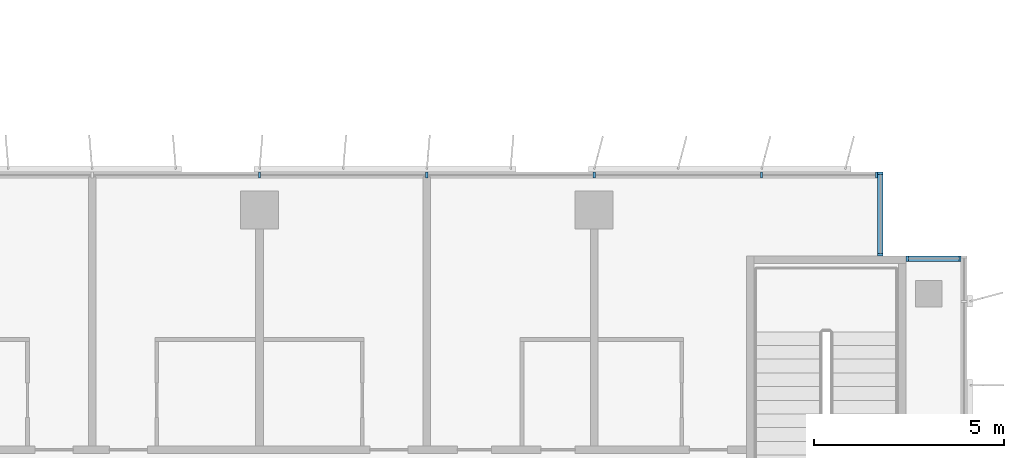
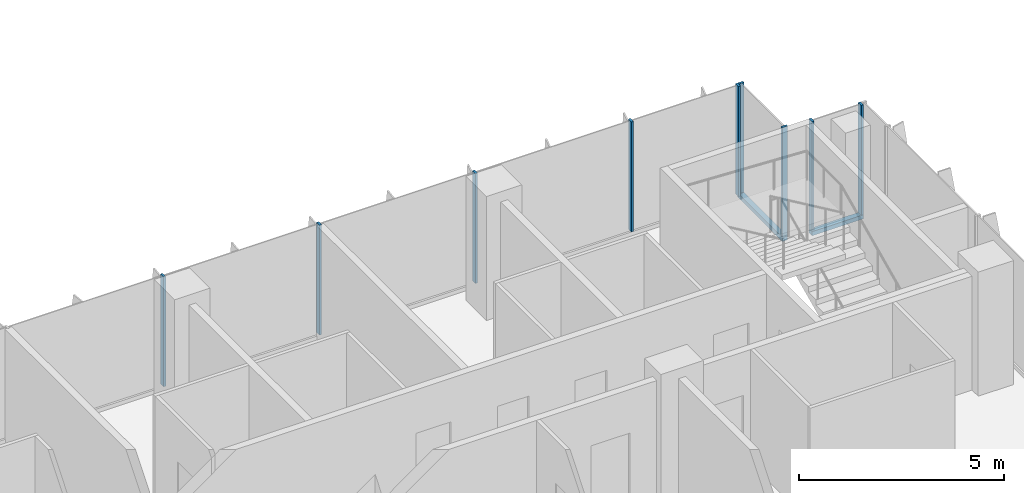
# One storey, part 4 of 21: 11 members, 3 elements without a shape of their own.
"""IFC4 building model written with IfcOpenShell, lengths in metres."""

from ifc_helpers import new_model, si_unit, direction, frame, origin, origin_2d, place, context, subcontext, project, spatial, rectangle, extrude, source, transform, mapped, material, material_profile, profile_set, type_object, element, aggregate, save


model = new_model("IFC4")

# Units and contexts
model_context = context("Model", 3, precision=1e-05, world=origin(), true_north=direction((0.0, 1.0)))
body_context = subcontext(model_context, "Body", "Model", "MODEL_VIEW")
ifc_project = project(units=[si_unit("LENGTHUNIT", "METRE"), si_unit("AREAUNIT", "SQUARE_METRE"), si_unit("VOLUMEUNIT", "CUBIC_METRE"), si_unit("PLANEANGLEUNIT", "RADIAN"), si_unit("MASSUNIT", "GRAM", prefix="KILO")], contexts=[model_context])

# Site, building, storey
site_placement = place(None, origin())
site = spatial("IfcSite", under=ifc_project, at=site_placement, CompositionType="ELEMENT")
building_placement = place(site_placement, origin())
building = spatial("IfcBuilding", under=site, at=building_placement, Name="Kemantara Hotel Tower", CompositionType="ELEMENT")
storey_placement = place(building_placement, frame((0.0, 0.0, 215.39990234375)))
storey = spatial("IfcBuildingStorey", under=building, at=storey_placement, Name="L53", CompositionType="ELEMENT", Elevation=215.39990234375)

# Curtain wall, member
ifc_material_1 = material(Name="Low-E tinted double insulated glass 36 mm", Category="glass")
curtain_wall_type = type_object("IfcCurtainWallType", Name="TOWER CURTAIN WALL, FRONT FACES", PredefinedType="USERDEFINED", material=ifc_material_1)
curtain_wall_1_placement = place(storey_placement, origin())
curtain_wall_1 = element("IfcCurtainWall", 1, at=curtain_wall_1_placement, inside=storey, type_object=curtain_wall_type, Name="CW4 L53 T3-R12-1", ObjectType="TOWER CURTAIN WALL, FRONT FACES", PredefinedType="USERDEFINED")
ifc_material_2 = material(Name="Aluminium 6063-T6 bronze anodised", Category="aluminium")
ifc_material_profile_1 = material_profile(ifc_material_2, rectangle(XDim=0.14990234375, YDim=0.1201171875, at=origin_2d()), Name="TOWER CURTAIN WALL, FRONT FACES TRANSOM")
ifc_profile_set_1 = profile_set([ifc_material_profile_1], Name="Aluminium 6063-T6 bronze anodised")
member_type_1 = type_object("IfcMemberType", Name="TOWER CURTAIN WALL, FRONT FACES TRANSOM", PredefinedType="USERDEFINED", material=ifc_profile_set_1)
member_1_placement = place(storey_placement, frame((63.449951171875, 19.72509765625, 0.06005859375), z_axis=(-1.0, 0.0, 0.0), x_axis=(0.0, -1.0, 0.0)))
member_1 = element("IfcMember", 2, at=member_1_placement, type_object=member_type_1, Name="CW4 sill transom T3-R12-1", ObjectType="TRANSOM", PredefinedType="USERDEFINED", context=body_context, shape_type="SweptSolid", body=[
    extrude(rectangle(XDim=0.14990234375, YDim=0.1201171875, at=origin_2d()), origin(), (0.0, 0.0, 1.0), 1.449951171875),
])

curtain_wall_2_placement = place(storey_placement, origin())
curtain_wall_2 = element("IfcCurtainWall", 3, at=curtain_wall_2_placement, inside=storey, type_object=curtain_wall_type, Name="CW4 L53 T3-R13-1", ObjectType="TOWER CURTAIN WALL, FRONT FACES", PredefinedType="USERDEFINED")
member_2_placement = place(storey_placement, frame((61.324951171875, 19.800048828125, 0.06005859375), z_axis=(0.0, 1.0, 0.0), x_axis=(-1.0, 0.0, 0.0)))
member_2 = element("IfcMember", 4, at=member_2_placement, type_object=member_type_1, Name="CW4 sill transom T3-R13-1", ObjectType="TRANSOM", PredefinedType="USERDEFINED", context=body_context, shape_type="SweptSolid", body=[
    extrude(rectangle(XDim=0.14990234375, YDim=0.1201171875, at=origin_2d()), origin(), (0.0, 0.0, 1.0), 2.199951171875),
])

# Curtain wall, members
curtain_wall_3_placement = place(storey_placement, origin())
curtain_wall_3 = element("IfcCurtainWall", 5, at=curtain_wall_3_placement, inside=storey, type_object=curtain_wall_type, Name="CW4 L53 T3-R14-1", ObjectType="TOWER CURTAIN WALL, FRONT FACES", PredefinedType="USERDEFINED")
ifc_material_profile_2 = material_profile(ifc_material_2, rectangle(XDim=0.14990234375, YDim=0.06005859375, at=origin_2d()), Name="TOWER CURTAIN WALL, FRONT FACES MULLION")
ifc_profile_set_2 = profile_set([ifc_material_profile_2], Name="Aluminium 6063-T6 bronze anodised")
member_type_2 = type_object("IfcMemberType", Name="TOWER CURTAIN WALL, FRONT FACES MULLION", PredefinedType="MULLION", material=ifc_profile_set_2)
shared_shape = source(origin(), body_context, "Body", "SweptSolid", [
    extrude(rectangle(XDim=0.14990234375, YDim=0.06005859375, at=origin_2d()), origin(), (0.0, 0.0, 1.0), 3.280029296875),
])
member_3_placement = place(storey_placement, frame((61.219970703125, 21.925048828125, 0.1201171875), z_axis=(0.0, 0.0, 1.0), x_axis=(0.0, -1.0, 0.0)))
member_3 = element("IfcMember", 6, at=member_3_placement, type_object=member_type_2, Name="CW4 mullion T3-R14-1.1", PredefinedType="MULLION", context=body_context, shape_type="MappedRepresentation", body=[
    mapped(shared_shape, transform((0.0, 0.0, 0.0))),
])
member_4_placement = place(storey_placement, frame((58.199951171875, 21.925048828125, 0.1201171875), z_axis=(0.0, 0.0, 1.0), x_axis=(0.0, -1.0, 0.0)))
member_4 = element("IfcMember", 7, at=member_4_placement, type_object=member_type_2, Name="CW4 mullion T3-R14-1.2", PredefinedType="MULLION", context=body_context, shape_type="MappedRepresentation", body=[
    mapped(shared_shape, transform((0.0, 0.0, 0.0))),
])
member_5_placement = place(storey_placement, frame((53.800048828125, 21.925048828125, 0.1201171875), z_axis=(0.0, 0.0, 1.0), x_axis=(0.0, -1.0, 0.0)))
member_5 = element("IfcMember", 8, at=member_5_placement, type_object=member_type_2, Name="CW4 mullion T3-R14-1.3", PredefinedType="MULLION", context=body_context, shape_type="MappedRepresentation", body=[
    mapped(shared_shape, transform((0.0, 0.0, 0.0))),
])
member_6_placement = place(storey_placement, frame((49.39990234375, 21.925048828125, 0.1201171875), z_axis=(0.0, 0.0, 1.0), x_axis=(0.0, -1.0, 0.0)))
member_6 = element("IfcMember", 9, at=member_6_placement, type_object=member_type_2, Name="CW4 mullion T3-R14-1.4", PredefinedType="MULLION", context=body_context, shape_type="MappedRepresentation", body=[
    mapped(shared_shape, transform((0.0, 0.0, 0.0))),
])
member_7_placement = place(storey_placement, frame((45.0, 21.925048828125, 0.1201171875), z_axis=(0.0, 0.0, 1.0), x_axis=(0.0, -1.0, 0.0)))
member_7 = element("IfcMember", 10, at=member_7_placement, type_object=member_type_2, Name="CW4 mullion T3-R14-1.5", PredefinedType="MULLION", context=body_context, shape_type="MappedRepresentation", body=[
    mapped(shared_shape, transform((0.0, 0.0, 0.0))),
])
aggregate(curtain_wall_3, [member_3, member_4, member_5, member_6, member_7])

# Member
member_8_placement = place(storey_placement, frame((63.419921875, 19.72509765625, 0.1201171875), z_axis=(0.0, 0.0, 1.0), x_axis=(0.0, -1.0, 0.0)))
member_8 = element("IfcMember", 11, at=member_8_placement, type_object=member_type_2, Name="CW4 mullion T3-R12-1.1", PredefinedType="MULLION", context=body_context, shape_type="MappedRepresentation", body=[
    mapped(shared_shape, transform((0.0, 0.0, 0.0))),
])

member_9_placement = place(storey_placement, frame((62.030029296875, 19.72509765625, 0.1201171875), z_axis=(0.0, 0.0, 1.0), x_axis=(0.0, -1.0, 0.0)))
member_9 = element("IfcMember", 12, at=member_9_placement, type_object=member_type_2, Name="CW4 mullion T3-R12-1.2", PredefinedType="MULLION", context=body_context, shape_type="MappedRepresentation", body=[
    mapped(shared_shape, transform((0.0, 0.0, 0.0))),
])

aggregate(curtain_wall_1, [member_1, member_8, member_9])

member_10_placement = place(storey_placement, frame((61.324951171875, 19.830078125, 0.1201171875), z_axis=(0.0, 0.0, 1.0), x_axis=(-1.0, 0.0, 0.0)))
member_10 = element("IfcMember", 13, at=member_10_placement, type_object=member_type_2, Name="CW4 mullion T3-R13-1.1", PredefinedType="MULLION", context=body_context, shape_type="MappedRepresentation", body=[
    mapped(shared_shape, transform((0.0, 0.0, 0.0))),
])

member_11_placement = place(storey_placement, frame((61.324951171875, 21.969970703125, 0.1201171875), z_axis=(0.0, 0.0, 1.0), x_axis=(-1.0, 0.0, 0.0)))
member_11 = element("IfcMember", 14, at=member_11_placement, type_object=member_type_2, Name="CW4 mullion T3-R13-1.2", PredefinedType="MULLION", context=body_context, shape_type="MappedRepresentation", body=[
    mapped(shared_shape, transform((0.0, 0.0, 0.0))),
])

aggregate(curtain_wall_2, [member_2, member_10, member_11])

save(model, "model.ifc")
